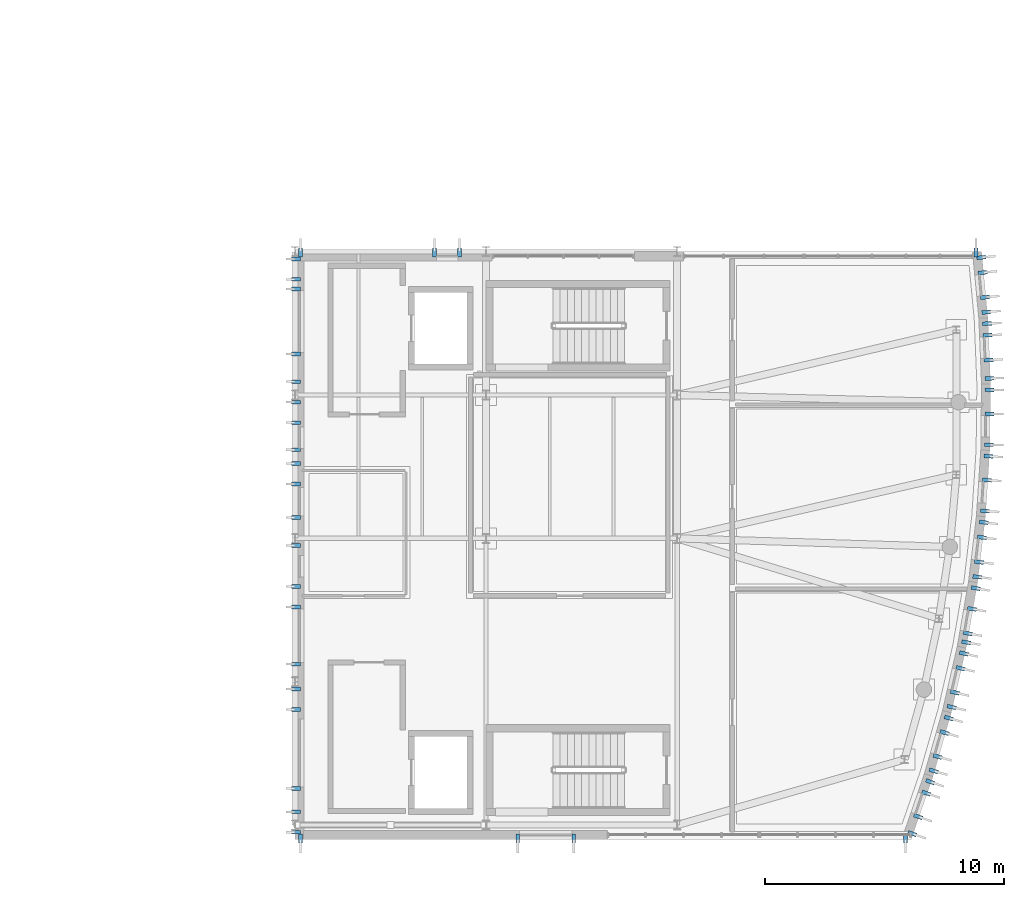
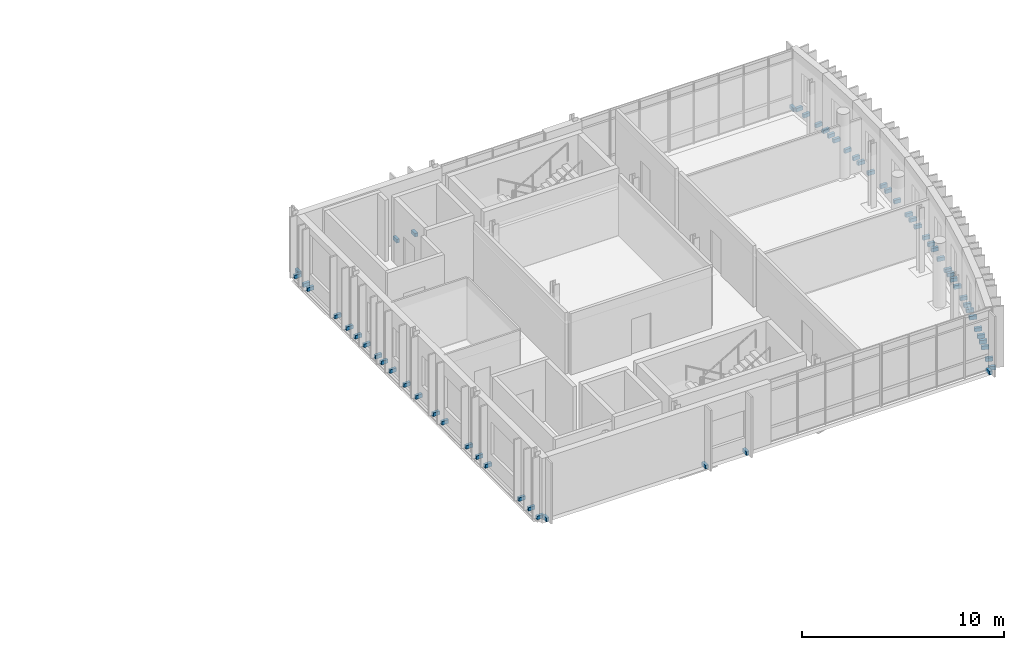
# One storey, part 24 of 28: 62 discrete accessories.
"""IFC4 building model written with IfcOpenShell, lengths in metres."""

from ifc_helpers import new_model, si_unit, direction, frame, origin, origin_2d, place, context, subcontext, project, spatial, rectangle, extrude, material, type_object, element, save


model = new_model("IFC4")

# Units and contexts
model_context = context("Model", 3, precision=1e-05, world=origin(), true_north=direction((0.0, 1.0)))
body_context = subcontext(model_context, "Body", "Model", "MODEL_VIEW")
ifc_project = project(units=[si_unit("LENGTHUNIT", "METRE"), si_unit("AREAUNIT", "SQUARE_METRE"), si_unit("VOLUMEUNIT", "CUBIC_METRE"), si_unit("PLANEANGLEUNIT", "RADIAN"), si_unit("MASSUNIT", "GRAM", prefix="KILO")], contexts=[model_context])

# Site, building, storey
site_placement = place(None, origin())
site = spatial("IfcSite", under=ifc_project, at=site_placement, CompositionType="ELEMENT")
building_placement = place(site_placement, origin())
building = spatial("IfcBuilding", under=site, at=building_placement, Name="Cymarion Research Institute", CompositionType="ELEMENT")
storey_placement = place(building_placement, frame((0.0, 0.0, 30.60009765625)))
storey = spatial("IfcBuildingStorey", under=building, at=storey_placement, Name="L07", CompositionType="ELEMENT", Elevation=30.60009765625)

# Discrete accessories
ifc_material = material(Name="Steel S355", Category="steel")
discrete_accessory_type = type_object("IfcDiscreteAccessoryType", Name="STAINLESS STEEL FACADE FIN BRACKET FBK1", PredefinedType="BRACKET", material=ifc_material)
for number, where, z_axis, x_axis, name in (
    (1, (138.840087890625, 4.93994140625, -0.08984375), (0.0, 0.0, 1.0), (0.0, -1.0, 0.0), "L07 V1 precast fin anchor bracket #667"),
    (2, (147.930908203125, 4.93994140625, -0.08984375), (0.0, 0.0, 1.0), (0.0, -1.0, 0.0), "L07 V1 precast fin anchor bracket #668"),
    (3, (150.27099609375, 4.93994140625, -0.08984375), (0.0, 0.0, 1.0), (0.0, -1.0, 0.0), "L07 V1 precast fin anchor bracket #669"),
    (4, (164.159912109375, 4.93994140625, -0.08984375), (0.0, 0.0, 1.0), (0.0, -1.0, 0.0), "L07 V1 precast fin anchor bracket #670"),
    (5, (164.440673828125, 5.139892578125, -0.08984375), (0.0, 0.0, 1.0), (0.945120113509, -0.326723080054, 0.0), "L07 V1 precast fin anchor bracket #671"),
    (6, (164.6875, 5.85400390625, -0.08984375), (0.0, 0.0, 1.0), (0.945120113509, -0.326723080054, 0.0), "L07 V1 precast fin anchor bracket #672"),
    (7, (165.02734375, 6.8369140625, -0.08984375), (0.0, 0.0, 1.0), (0.945120113509, -0.326723080054, 0.0), "L07 V1 precast fin anchor bracket #673"),
    (8, (165.19189453125, 7.31298828125, -0.08984375), (0.0, 0.0, 1.0), (0.945120113509, -0.326723080054, 0.0), "L07 V1 precast fin anchor bracket #674"),
    (9, (165.3359375, 7.768310546875, -0.08984375), (0.0, 0.0, 1.0), (0.961213573504, -0.275805123434, 0.0), "L07 V1 precast fin anchor bracket #675"),
    (10, (165.508056640625, 8.3681640625, -0.08984375), (0.0, 0.0, 1.0), (0.961213573504, -0.275805123434, 0.0), "L07 V1 precast fin anchor bracket #676"),
    (11, (165.794921875, 9.367919921875, -0.08984375), (0.0, 0.0, 1.0), (0.961213573504, -0.275805123434, 0.0), "L07 V1 precast fin anchor bracket #677"),
    (12, (165.97021484375, 9.978515625, -0.08984375), (0.0, 0.0, 1.0), (0.961213573504, -0.275805123434, 0.0), "L07 V1 precast fin anchor bracket #678"),
    (13, (166.089599609375, 10.44091796875, -0.08984375), (0.0, 0.0, 1.0), (0.974566000575, -0.224100670509, 0.0), "L07 V1 precast fin anchor bracket #679"),
    (14, (166.2294921875, 11.049072265625, -0.08984375), (0.0, 0.0, 1.0), (0.974566000575, -0.224100670509, 0.0), "L07 V1 precast fin anchor bracket #680"),
    (15, (166.46240234375, 12.062744140625, -0.08984375), (0.0, 0.0, 1.0), (0.974566000575, -0.224100670509, 0.0), "L07 V1 precast fin anchor bracket #681"),
    (16, (166.604736328125, 12.681640625, -0.08984375), (0.0, 0.0, 1.0), (0.974566000575, -0.224100670509, 0.0), "L07 V1 precast fin anchor bracket #682"),
    (17, (166.69921875, 13.14990234375, -0.08984375), (0.0, 0.0, 1.0), (0.985139318439, -0.171757163649, 0.0), "L07 V1 precast fin anchor bracket #683"),
    (18, (166.764404296875, 13.523193359375, -0.08984375), (0.0, 0.0, 1.0), (0.985139318439, -0.171757163649, 0.0), "L07 V1 precast fin anchor bracket #684"),
    (19, (166.94287109375, 14.5478515625, -0.08984375), (0.0, 0.0, 1.0), (0.985139318439, -0.171757163649, 0.0), "L07 V1 precast fin anchor bracket #685"),
    (20, (167.093994140625, 15.4150390625, -0.08984375), (0.0, 0.0, 1.0), (0.985139318439, -0.171757163649, 0.0), "L07 V1 precast fin anchor bracket #686"),
    (21, (167.16357421875, 15.8876953125, -0.08984375), (0.0, 0.0, 1.0), (0.992924116831, -0.118750571435, 0.0), "L07 V1 precast fin anchor bracket #687"),
    (22, (167.237548828125, 16.507080078125, -0.08984375), (0.0, 0.0, 1.0), (0.992924116831, -0.118750571435, 0.0), "L07 V1 precast fin anchor bracket #688"),
    (23, (167.361083984375, 17.539794921875, -0.08984375), (0.0, 0.0, 1.0), (0.992924116831, -0.118750571435, 0.0), "L07 V1 precast fin anchor bracket #689"),
    (24, (167.436767578125, 18.170654296875, -0.08984375), (0.0, 0.0, 1.0), (0.992924116831, -0.118750571435, 0.0), "L07 V1 precast fin anchor bracket #690"),
    (25, (167.480712890625, 18.646240234375, -0.08984375), (0.0, 0.0, 1.0), (0.997847493041, -0.06557728747, 0.0), "L07 V1 precast fin anchor bracket #691"),
    (26, (167.565673828125, 19.9404296875, -0.08984375), (0.0, 0.0, 1.0), (0.997847493041, -0.06557728747, 0.0), "L07 V1 precast fin anchor bracket #692"),
    (27, (167.631591796875, 20.940673828125, -0.08984375), (0.0, 0.0, 1.0), (0.997847493041, -0.06557728747, 0.0), "L07 V1 precast fin anchor bracket #693"),
    (28, (167.64990234375, 21.41796875, -0.08984375), (0.0, 0.0, 1.0), (0.99992536966, -0.012217000835, 0.0), "L07 V1 precast fin anchor bracket #694"),
    (29, (167.665771484375, 22.7119140625, -0.08984375), (0.0, 0.0, 1.0), (0.99992536966, -0.012217000835, 0.0), "L07 V1 precast fin anchor bracket #695"),
    (30, (167.677978515625, 23.716796875, -0.08984375), (0.0, 0.0, 1.0), (0.99992536966, -0.012217000835, 0.0), "L07 V1 precast fin anchor bracket #696"),
    (31, (167.671142578125, 24.194580078125, -0.08984375), (0.0, 0.0, 1.0), (0.999144619181, 0.041352508522, 0.0), "L07 V1 precast fin anchor bracket #697"),
    (32, (167.639404296875, 24.96484375, -0.08984375), (0.0, 0.0, 1.0), (0.999144619181, 0.041352508522, 0.0), "L07 V1 precast fin anchor bracket #698"),
    (33, (167.596435546875, 26.00390625, -0.08984375), (0.0, 0.0, 1.0), (0.999144619181, 0.041352508522, 0.0), "L07 V1 precast fin anchor bracket #699"),
    (34, (167.576171875, 26.49169921875, -0.08984375), (0.0, 0.0, 1.0), (0.999144619181, 0.041352508522, 0.0), "L07 V1 precast fin anchor bracket #700"),
    (35, (167.543701171875, 26.96826171875, -0.08984375), (0.0, 0.0, 1.0), (0.995512553138, 0.09462957542, 0.0), "L07 V1 precast fin anchor bracket #701"),
    (36, (167.48486328125, 27.589599609375, -0.08984375), (0.0, 0.0, 1.0), (0.995512553138, 0.09462957542, 0.0), "L07 V1 precast fin anchor bracket #702"),
    (37, (167.386474609375, 28.625, -0.08984375), (0.0, 0.0, 1.0), (0.995512553138, 0.09462957542, 0.0), "L07 V1 precast fin anchor bracket #703"),
    (38, (167.326416015625, 29.25732421875, -0.08984375), (0.0, 0.0, 1.0), (0.995512553138, 0.09462957542, 0.0), "L07 V1 precast fin anchor bracket #704"),
    (39, (167.103515625, 29.4599609375, -0.08984375), (0.0, 0.0, 1.0), (0.0, 1.0, 0.0), "L07 V1 precast fin anchor bracket #705"),
    (40, (145.489013671875, 29.4599609375, -0.08984375), (0.0, 0.0, 1.0), (0.0, 1.0, 0.0), "L07 V1 precast fin anchor bracket #706"),
    (41, (144.448974609375, 29.4599609375, -0.08984375), (0.0, 0.0, 1.0), (0.0, 1.0, 0.0), "L07 V1 precast fin anchor bracket #707"),
    (42, (138.840087890625, 29.4599609375, -0.08984375), (0.0, 0.0, 1.0), (0.0, 1.0, 0.0), "L07 V1 precast fin anchor bracket #708"),
    (43, (138.639892578125, 29.199951171875, -0.08984375), (0.0, 0.0, 1.0), (-1.0, 0.0, 0.0), "L07 V1 precast fin anchor bracket #709"),
    (44, (138.639892578125, 28.343017578125, -0.08984375), (0.0, 0.0, 1.0), (-1.0, 0.0, 0.0), "L07 V1 precast fin anchor bracket #710"),
    (45, (138.639892578125, 27.93408203125, -0.08984375), (0.0, 0.0, 1.0), (-1.0, 0.0, 0.0), "L07 V1 precast fin anchor bracket #711"),
    (46, (138.639892578125, 25.214111328125, -0.08984375), (0.0, 0.0, 1.0), (-1.0, 0.0, 0.0), "L07 V1 precast fin anchor bracket #712"),
    (47, (138.639892578125, 24.05712890625, -0.08984375), (0.0, 0.0, 1.0), (-1.0, 0.0, 0.0), "L07 V1 precast fin anchor bracket #713"),
    (48, (138.639892578125, 23.199951171875, -0.08984375), (0.0, 0.0, 1.0), (-1.0, 0.0, 0.0), "L07 V1 precast fin anchor bracket #714"),
    (49, (138.639892578125, 22.343017578125, -0.08984375), (0.0, 0.0, 1.0), (-1.0, 0.0, 0.0), "L07 V1 precast fin anchor bracket #715"),
    (50, (138.639892578125, 21.2099609375, -0.08984375), (0.0, 0.0, 1.0), (-1.0, 0.0, 0.0), "L07 V1 precast fin anchor bracket #716"),
    (51, (138.639892578125, 20.628662109375, -0.08984375), (0.0, 0.0, 1.0), (-1.0, 0.0, 0.0), "L07 V1 precast fin anchor bracket #717"),
    (52, (138.639892578125, 19.771484375, -0.08984375), (0.0, 0.0, 1.0), (-1.0, 0.0, 0.0), "L07 V1 precast fin anchor bracket #718"),
    (53, (138.639892578125, 18.3798828125, -0.08984375), (0.0, 0.0, 1.0), (-1.0, 0.0, 0.0), "L07 V1 precast fin anchor bracket #719"),
    (54, (138.639892578125, 17.199951171875, -0.08984375), (0.0, 0.0, 1.0), (-1.0, 0.0, 0.0), "L07 V1 precast fin anchor bracket #720"),
    (55, (138.639892578125, 15.485595703125, -0.08984375), (0.0, 0.0, 1.0), (-1.0, 0.0, 0.0), "L07 V1 precast fin anchor bracket #721"),
    (56, (138.639892578125, 14.628662109375, -0.08984375), (0.0, 0.0, 1.0), (-1.0, 0.0, 0.0), "L07 V1 precast fin anchor bracket #722"),
    (57, (138.639892578125, 12.235107421875, -0.08984375), (0.0, 0.0, 1.0), (-1.0, 0.0, 0.0), "L07 V1 precast fin anchor bracket #723"),
    (58, (138.639892578125, 11.199951171875, -0.08984375), (0.0, 0.0, 1.0), (-1.0, 0.0, 0.0), "L07 V1 precast fin anchor bracket #724"),
    (59, (138.639892578125, 10.343017578125, -0.08984375), (0.0, 0.0, 1.0), (-1.0, 0.0, 0.0), "L07 V1 precast fin anchor bracket #725"),
    (60, (138.639892578125, 7.02490234375, -0.08984375), (0.0, 0.0, 1.0), (-1.0, 0.0, 0.0), "L07 V1 precast fin anchor bracket #726"),
    (61, (138.639892578125, 6.05712890625, -0.08984375), (0.0, 0.0, 1.0), (-1.0, 0.0, 0.0), "L07 V1 precast fin anchor bracket #727"),
    (62, (138.639892578125, 5.199951171875, -0.08984375), (0.0, 0.0, 1.0), (-1.0, 0.0, 0.0), "L07 V1 precast fin anchor bracket #728"),
):
    element("IfcDiscreteAccessory", number, at=place(storey_placement, frame(where, z_axis=z_axis, x_axis=x_axis)), inside=storey, type_object=discrete_accessory_type, Name=name, PredefinedType="BRACKET", context=body_context, shape_type="SweptSolid", body=[
        extrude(rectangle(XDim=0.3798828125, YDim=0.159912109375, at=origin_2d()), origin(), (0.0, 0.0, 1.0), 0.219970703125),
    ])

save(model, "model.ifc")
